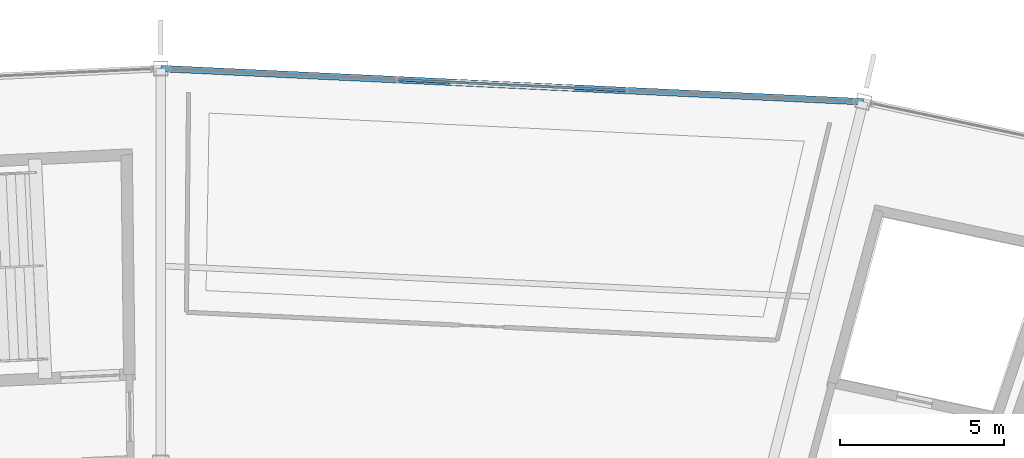
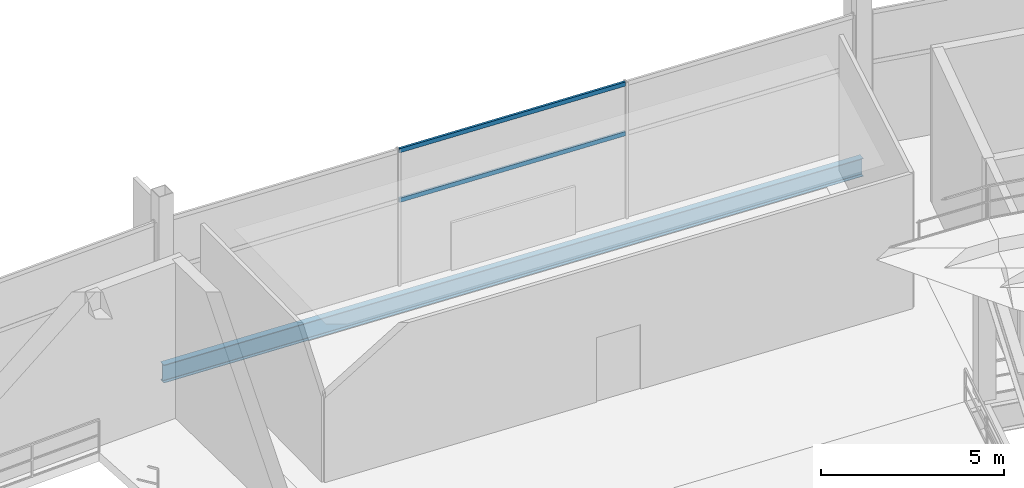
# One storey, part 103 of 186: 2 members, 1 beam, 1 element without a shape of its own.
"""IFC4 building model written with IfcOpenShell, lengths in metres."""

from ifc_helpers import new_model, si_unit, direction, frame, origin, origin_2d, place, context, subcontext, project, spatial, hollow_rectangle, i_section, extrude, material, layer, layer_set, material_profile, profile_set, type_object, element, aggregate, save


model = new_model("IFC4")

# Units and contexts
model_context = context("Model", 3, precision=1e-05, world=origin(), true_north=direction((0.0, 1.0)))
body_context = subcontext(model_context, "Body", "Model", "MODEL_VIEW")
ifc_project = project(units=[si_unit("LENGTHUNIT", "METRE"), si_unit("AREAUNIT", "SQUARE_METRE"), si_unit("VOLUMEUNIT", "CUBIC_METRE"), si_unit("PLANEANGLEUNIT", "RADIAN"), si_unit("MASSUNIT", "GRAM", prefix="KILO")], contexts=[model_context])

# Site, building, storey
site_placement = place(None, origin())
site = spatial("IfcSite", under=ifc_project, at=site_placement, CompositionType="ELEMENT")
building_placement = place(site_placement, origin())
building = spatial("IfcBuilding", under=site, at=building_placement, Name="Kazemori Nagisa Stadium", CompositionType="ELEMENT")
storey_placement = place(building_placement, frame((0.0, 0.0, 20.39990234375)))
storey = spatial("IfcBuildingStorey", under=building, at=storey_placement, Name="L04", CompositionType="ELEMENT", Elevation=20.39990234375)

# Beam
ifc_material_1 = material(Name="Steel SN490B", Category="steel")
ifc_material_profile_1 = material_profile(ifc_material_1, i_section(OverallWidth=0.199951171875, OverallDepth=0.60009765625, WebThickness=0.010986328125, FlangeThickness=0.01708984375, FilletRadius=0.012939453125, at=origin_2d()), Name="H-600x200x11x17")
ifc_profile_set_1 = profile_set([ifc_material_profile_1], Name="Steel SN490B")
beam_type = type_object("IfcBeamType", Name="Beam_BS-H600", PredefinedType="SPANDREL", material=ifc_profile_set_1)
beam_placement = place(storey_placement, frame((144.427734375, 186.98681640625, -0.599853515625), z_axis=(-0.998883994571, 0.047230979144, 0.0), x_axis=(-0.047230979144, -0.998883994571, 0.0)))
element("IfcBeam", 1, at=beam_placement, inside=storey, type_object=beam_type, Name="Ring girder BS-H600 L04 R3-07", PredefinedType="SPANDREL", context=body_context, shape_type="SweptSolid", body=[
    extrude(i_section(OverallWidth=0.199951171875, OverallDepth=0.60009765625, WebThickness=0.010986328125, FlangeThickness=0.01708984375, FilletRadius=0.012939453125, at=origin_2d()), origin(), (0.0, 0.0, 1.0), 21.45166015625),
])

# Curtain wall, members
ifc_material_2 = material(Name="Anodised aluminium 6063-T5", Category="aluminium")
ifc_layer = layer(ifc_material_2, 0.179931640625, Name="Anodised aluminium 6063-T5", Category="aluminium")
ifc_layer_set = layer_set([ifc_layer], Name="Anodised aluminium 6063-T5")
curtain_wall_type = type_object("IfcCurtainWallType", Name="CW_L04R3_105", PredefinedType="USERDEFINED", material=ifc_layer_set)
curtain_wall_placement = place(storey_placement, origin())
curtain_wall = element("IfcCurtainWall", 2, at=curtain_wall_placement, inside=storey, type_object=curtain_wall_type, Name="Unitised curtain wall CW-L04R3-105 L04", ObjectType="UNITISED CURTAIN WALL", PredefinedType="USERDEFINED")
ifc_material_3 = material(Name="Aluminium 6063-T5 anodised", Category="aluminium")
ifc_material_profile_2 = material_profile(ifc_material_3, hollow_rectangle(XDim=0.070068359375, YDim=0.139892578125, WallThickness=0.00390625, at=origin_2d()), Name="ALU-TRAN-70x140x4")
ifc_profile_set_2 = profile_set([ifc_material_profile_2], Name="Aluminium 6063-T5 anodised")
member_type = type_object("IfcMemberType", Name="Transom_T01", PredefinedType="USERDEFINED", material=ifc_profile_set_2)
member_1_placement = place(storey_placement, frame((137.18017578125, 187.32958984375, 2.80859375), z_axis=(-0.998885105073, 0.047207487358, 0.0), x_axis=(-0.047207487358, -0.998885105073, 0.0)))
member_1 = element("IfcMember", 3, at=member_1_placement, type_object=member_type, Name="Curtain wall transom CW-L04R3-105-T2-mid", ObjectType="TRANSOM", PredefinedType="USERDEFINED", context=body_context, shape_type="SweptSolid", body=[
    extrude(hollow_rectangle(XDim=0.070068359375, YDim=0.139892578125, WallThickness=0.00390625, at=origin_2d()), origin(), (0.0, 0.0, 1.0), 6.9404296875),
])
member_2_placement = place(storey_placement, frame((137.18017578125, 187.32958984375, 4.460205078125), z_axis=(-0.998885105073, 0.047207487358, 0.0), x_axis=(-0.047207487358, -0.998885105073, 0.0)))
member_2 = element("IfcMember", 4, at=member_2_placement, type_object=member_type, Name="Curtain wall transom CW-L04R3-105-T2-head", ObjectType="TRANSOM", PredefinedType="USERDEFINED", context=body_context, shape_type="SweptSolid", body=[
    extrude(hollow_rectangle(XDim=0.070068359375, YDim=0.139892578125, WallThickness=0.00390625, at=origin_2d()), origin(), (0.0, 0.0, 1.0), 6.9404296875),
])
aggregate(curtain_wall, [member_1, member_2])

save(model, "model.ifc")
